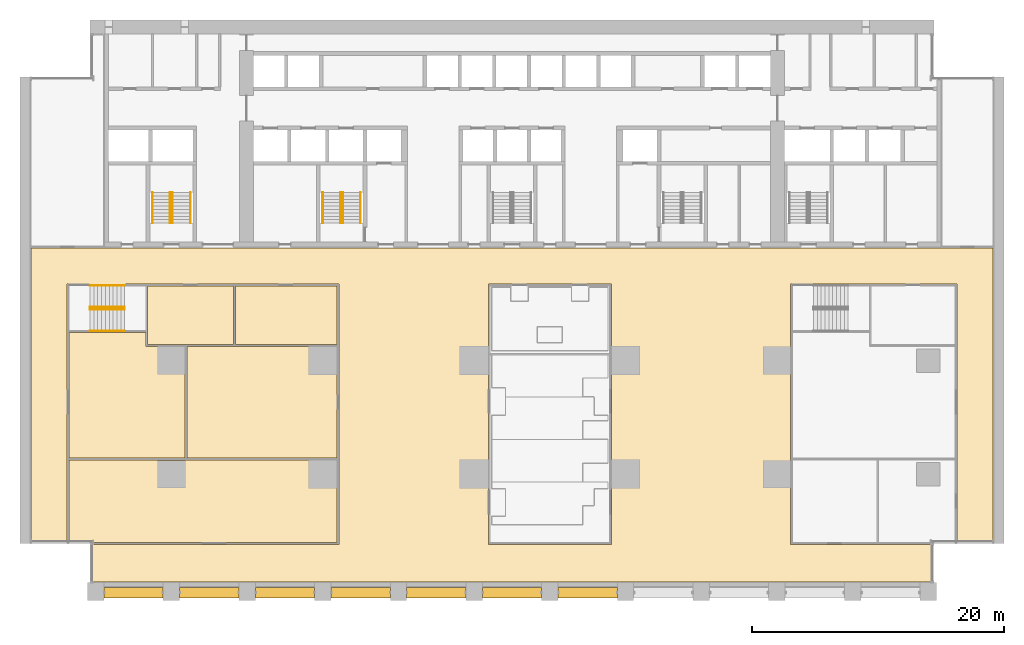
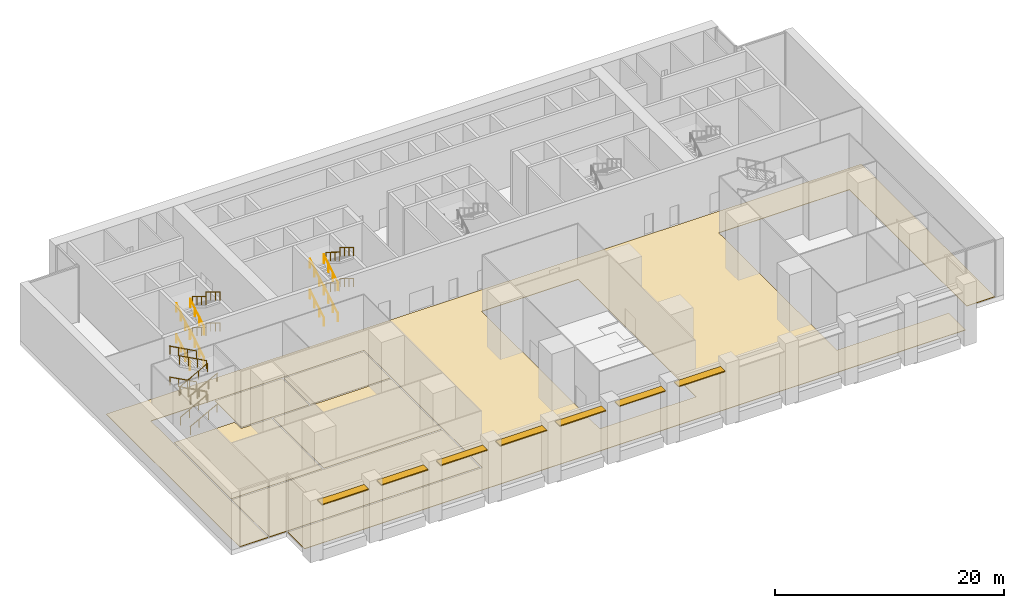
# One storey, part 16 of 18: 24 railings, 7 shading devices, 6 coverings, 3 elements without a shape of their own.
"""IFC4 building model written with IfcOpenShell, lengths in metres."""

from ifc_helpers import new_model, si_unit, direction, frame, origin, origin_2d, place, context, subcontext, project, spatial, polyline, rectangle, circle, outline, extrude, material, layer, layer_set, material_profile, profile_set, type_object, element, aggregate, save


model = new_model("IFC4")

# Units and contexts
model_context = context("Model", 3, precision=1e-05, world=origin(), true_north=direction((0.0, 1.0)))
body_context = subcontext(model_context, "Body", "Model", "MODEL_VIEW")
ifc_project = project(units=[si_unit("LENGTHUNIT", "METRE"), si_unit("AREAUNIT", "SQUARE_METRE"), si_unit("VOLUMEUNIT", "CUBIC_METRE"), si_unit("PLANEANGLEUNIT", "RADIAN"), si_unit("MASSUNIT", "GRAM", prefix="KILO")], contexts=[model_context])

# Site, building, storey
site_placement = place(None, origin())
site = spatial("IfcSite", under=ifc_project, at=site_placement, CompositionType="ELEMENT")
building_placement = place(site_placement, origin())
building = spatial("IfcBuilding", under=site, at=building_placement, Name="Calvaro Tower", CompositionType="ELEMENT")
storey_placement = place(building_placement, frame((0.0, 0.0, 11.300048828125)))
storey = spatial("IfcBuildingStorey", under=building, at=storey_placement, Name="L02", CompositionType="ELEMENT", Elevation=11.300048828125)

# Shading devices
ifc_material_1 = material(Name="Anodised aluminium", Category="aluminium")
ifc_material_profile = material_profile(ifc_material_1, rectangle(XDim=0.800048828125, YDim=0.10009765625, at=origin_2d()), Name="Brise-soleil blade 800 x 100")
ifc_profile_set = profile_set([ifc_material_profile], Name="Anodised aluminium")
shading_device_type = type_object("IfcShadingDeviceType", Name="Brise-soleil blade 800 x 100", PredefinedType="JALOUSIE", material=ifc_profile_set)
for number, where, z_axis, x_axis, name in (
    (1, (6.64990234375, 0.60009765625, 5.14990234375), (1.0, 0.0, 0.0), (0.0, 1.0, 0.0), "Brise-soleil blade 1"),
    (2, (12.64990234375, 0.60009765625, 5.14990234375), (1.0, 0.0, 0.0), (0.0, 1.0, 0.0), "Brise-soleil blade 2"),
    (3, (18.64990234375, 0.60009765625, 5.14990234375), (1.0, 0.0, 0.0), (0.0, 1.0, 0.0), "Brise-soleil blade 3"),
    (4, (24.64990234375, 0.60009765625, 5.14990234375), (1.0, 0.0, 0.0), (0.0, 1.0, 0.0), "Brise-soleil blade 4"),
    (5, (30.64990234375, 0.60009765625, 5.14990234375), (1.0, 0.0, 0.0), (0.0, 1.0, 0.0), "Brise-soleil blade 5"),
    (6, (36.64990234375, 0.60009765625, 5.14990234375), (1.0, 0.0, 0.0), (0.0, 1.0, 0.0), "Brise-soleil blade 6"),
    (7, (42.64990234375, 0.60009765625, 5.14990234375), (1.0, 0.0, 0.0), (0.0, 1.0, 0.0), "Brise-soleil blade 7"),
):
    element("IfcShadingDevice", number, at=place(storey_placement, frame(where, z_axis=z_axis, x_axis=x_axis)), inside=storey, type_object=shading_device_type, Name=name, PredefinedType="JALOUSIE", context=body_context, shape_type="SweptSolid", body=[
        extrude(rectangle(XDim=0.800048828125, YDim=0.10009765625, at=origin_2d()), origin(), (0.0, 0.0, 1.0), 4.7001953125),
    ])

# Coverings
ifc_material_2 = material(Name="Cement screed with carpet tile finish")
ifc_layer = layer(ifc_material_2, 0.050048828125)
ifc_layer_set = layer_set([ifc_layer], Name="Cement screed with carpet tile finish")
covering_type = type_object("IfcCoveringType", Name="Floor finish 50", PredefinedType="FLOORING", material=ifc_layer_set)
covering_1_placement = place(storey_placement, origin())
element("IfcCovering", 8, at=covering_1_placement, inside=storey, type_object=covering_type, Name="Floor finish 05.01", PredefinedType="FLOORING", context=body_context, shape_type="SweptSolid", body=[
    extrude(outline(polyline([(5.6201171875, 4.429931640625), (25.27001953125, 4.429931640625), (25.27001953125, 25.070068359375), (3.72998046875, 25.070068359375), (3.72998046875, 4.570068359375), (0.8701171875, 4.570068359375), (0.8701171875, 27.929931640625), (77.1298828125, 27.929931640625), (77.1298828125, 4.570068359375), (74.27001953125, 4.570068359375), (74.27001953125, 25.070068359375), (61.080078125, 25.070068359375), (61.080078125, 4.429931640625), (72.3798828125, 4.429931640625), (72.3798828125, 1.469970703125), (5.6201171875, 1.469970703125), (5.6201171875, 4.429931640625)]), holes=[polyline([(46.8701171875, 25.070068359375), (37.1298828125, 25.070068359375), (37.1298828125, 4.429931640625), (46.8701171875, 4.429931640625), (46.8701171875, 25.070068359375)])]), origin(), (0.0, 0.0, 1.0), 0.050048828125),
])
covering_2_placement = place(storey_placement, origin())
element("IfcCovering", 9, at=covering_2_placement, inside=storey, type_object=covering_type, Name="Floor finish 05.02", PredefinedType="FLOORING", context=body_context, shape_type="SweptSolid", body=[
    extrude(outline(polyline([(25.1298828125, 11.1298828125), (25.1298828125, 4.570068359375), (3.8701171875, 4.570068359375), (3.8701171875, 11.1298828125), (25.1298828125, 11.1298828125)])), origin(), (0.0, 0.0, 1.0), 0.050048828125),
])
covering_3_placement = place(storey_placement, origin())
element("IfcCovering", 10, at=covering_3_placement, inside=storey, type_object=covering_type, Name="Floor finish 05.08", PredefinedType="FLOORING", context=body_context, shape_type="SweptSolid", body=[
    extrude(outline(polyline([(9.97998046875, 21.22998046875), (9.97998046875, 20.1298828125), (13.080078125, 20.1298828125), (13.080078125, 11.27001953125), (3.8701171875, 11.27001953125), (3.8701171875, 21.22998046875), (9.97998046875, 21.22998046875)])), origin(), (0.0, 0.0, 1.0), 0.050048828125),
])
covering_4_placement = place(storey_placement, origin())
element("IfcCovering", 11, at=covering_4_placement, inside=storey, type_object=covering_type, Name="Floor finish 05.06", PredefinedType="FLOORING", context=body_context, shape_type="SweptSolid", body=[
    extrude(outline(polyline([(13.219970703125, 20.1298828125), (25.1298828125, 20.1298828125), (25.1298828125, 11.27001953125), (13.219970703125, 11.27001953125), (13.219970703125, 20.1298828125)])), origin(), (0.0, 0.0, 1.0), 0.050048828125),
])
covering_5_placement = place(storey_placement, origin())
element("IfcCovering", 12, at=covering_5_placement, inside=storey, type_object=covering_type, Name="Floor finish 05.10", PredefinedType="FLOORING", context=body_context, shape_type="SweptSolid", body=[
    extrude(outline(polyline([(10.1201171875, 24.929931640625), (16.929931640625, 24.929931640625), (16.929931640625, 20.27001953125), (10.1201171875, 20.27001953125), (10.1201171875, 24.929931640625)])), origin(), (0.0, 0.0, 1.0), 0.050048828125),
])
covering_6_placement = place(storey_placement, origin())
element("IfcCovering", 13, at=covering_6_placement, inside=storey, type_object=covering_type, Name="Floor finish 05.11", PredefinedType="FLOORING", context=body_context, shape_type="SweptSolid", body=[
    extrude(outline(polyline([(17.070068359375, 24.929931640625), (25.1298828125, 24.929931640625), (25.1298828125, 20.27001953125), (17.070068359375, 20.27001953125), (17.070068359375, 24.929931640625)])), origin(), (0.0, 0.0, 1.0), 0.050048828125),
])

# Stair, railings
ifc_material_3 = material(Name="Concrete C40/50", Category="concrete")
stair_type_1 = type_object("IfcStairType", Name="Exit stair 1400 4 flights", PredefinedType="DOUBLE_RETURN_STAIR", material=ifc_material_3)
stair_1_placement = place(storey_placement, origin())
stair_1 = element("IfcStair", 14, at=stair_1_placement, inside=storey, type_object=stair_type_1, Name="Exit stair S1", PredefinedType="DOUBLE_RETURN_STAIR")
ifc_material_4 = material(Name="Stainless steel", Category="steel")
railing_type = type_object("IfcRailingType", Name="Stair handrail", PredefinedType="HANDRAIL", material=ifc_material_4)
railing_1_placement = place(storey_placement, frame((11.89990234375, 29.89990234375, 0.1650390625)))
railing_1 = element("IfcRailing", 15, at=railing_1_placement, type_object=railing_type, Name="Exit stair 1 handrail", PredefinedType="HANDRAIL", context=body_context, shape_type="SweptSolid", body=[
    extrude(circle(Radius=0.02392578125, at=origin_2d()), frame((0.0, 0.0, 0.8759765625), z_axis=(0.0, 0.853319974774, 0.521387591579), x_axis=(-1.0, 0.0, 0.0)), (0.0, 0.0, 1.0), 2.847900390625),
    extrude(circle(Radius=0.02099609375, at=origin_2d()), frame((0.0, 0.017822265625, 0.010986328125)), (0.0, 0.0, 1.0), 0.851806640625),
    extrude(circle(Radius=0.02099609375, at=origin_2d()), frame((0.0, 0.81005859375, 0.494873046875)), (0.0, 0.0, 1.0), 0.851806640625),
    extrude(circle(Radius=0.02099609375, at=origin_2d()), frame((0.0, 1.6201171875, 0.989990234375)), (0.0, 0.0, 1.0), 0.851806640625),
    extrude(circle(Radius=0.02099609375, at=origin_2d()), frame((0.0, 2.412353515625, 1.473876953125)), (0.0, 0.0, 1.0), 0.851806640625),
])
railing_2_placement = place(storey_placement, frame((10.5, 29.89990234375, 0.1650390625)))
railing_2 = element("IfcRailing", 16, at=railing_2_placement, type_object=railing_type, Name="Exit stair 1 handrail", PredefinedType="HANDRAIL", context=body_context, shape_type="SweptSolid", body=[
    extrude(circle(Radius=0.02392578125, at=origin_2d()), frame((0.0, 0.0, 0.8759765625), z_axis=(0.0, 0.853319974774, 0.521387591579), x_axis=(-1.0, 0.0, 0.0)), (0.0, 0.0, 1.0), 2.847900390625),
    extrude(circle(Radius=0.02099609375, at=origin_2d()), frame((0.0, 0.017822265625, 0.010986328125)), (0.0, 0.0, 1.0), 0.851806640625),
    extrude(circle(Radius=0.02099609375, at=origin_2d()), frame((0.0, 0.81005859375, 0.494873046875)), (0.0, 0.0, 1.0), 0.851806640625),
    extrude(circle(Radius=0.02099609375, at=origin_2d()), frame((0.0, 1.6201171875, 0.989990234375)), (0.0, 0.0, 1.0), 0.851806640625),
    extrude(circle(Radius=0.02099609375, at=origin_2d()), frame((0.0, 2.412353515625, 1.473876953125)), (0.0, 0.0, 1.0), 0.851806640625),
])
railing_3_placement = place(storey_placement, frame((12.10009765625, 32.330078125, 1.81494140625)))
railing_3 = element("IfcRailing", 17, at=railing_3_placement, type_object=railing_type, Name="Exit stair 1 handrail", PredefinedType="HANDRAIL", context=body_context, shape_type="SweptSolid", body=[
    extrude(circle(Radius=0.02392578125, at=origin_2d()), frame((0.0, 0.0, 0.8759765625), z_axis=(0.0, -0.853281833652, 0.521450009454), x_axis=(1.0, 0.0, 0.0)), (0.0, 0.0, 1.0), 2.84814453125),
    extrude(circle(Radius=0.02099609375, at=origin_2d()), frame((0.0, -0.017822265625, 0.010986328125)), (0.0, 0.0, 1.0), 0.851806640625),
    extrude(circle(Radius=0.02099609375, at=origin_2d()), frame((0.0, -0.81005859375, 0.4951171875)), (0.0, 0.0, 1.0), 0.851806640625),
    extrude(circle(Radius=0.02099609375, at=origin_2d()), frame((0.0, -1.6201171875, 0.989990234375)), (0.0, 0.0, 1.0), 0.851806640625),
    extrude(circle(Radius=0.02099609375, at=origin_2d()), frame((0.0, -2.412353515625, 1.47412109375)), (0.0, 0.0, 1.0), 0.851806640625),
])
railing_4_placement = place(storey_placement, frame((13.5, 32.330078125, 1.81494140625)))
railing_4 = element("IfcRailing", 18, at=railing_4_placement, type_object=railing_type, Name="Exit stair 1 handrail", PredefinedType="HANDRAIL", context=body_context, shape_type="SweptSolid", body=[
    extrude(circle(Radius=0.02392578125, at=origin_2d()), frame((0.0, 0.0, 0.8759765625), z_axis=(0.0, -0.853281833652, 0.521450009454), x_axis=(1.0, 0.0, 0.0)), (0.0, 0.0, 1.0), 2.84814453125),
    extrude(circle(Radius=0.02099609375, at=origin_2d()), frame((0.0, -0.017822265625, 0.010986328125)), (0.0, 0.0, 1.0), 0.851806640625),
    extrude(circle(Radius=0.02099609375, at=origin_2d()), frame((0.0, -0.81005859375, 0.4951171875)), (0.0, 0.0, 1.0), 0.851806640625),
    extrude(circle(Radius=0.02099609375, at=origin_2d()), frame((0.0, -1.6201171875, 0.989990234375)), (0.0, 0.0, 1.0), 0.851806640625),
    extrude(circle(Radius=0.02099609375, at=origin_2d()), frame((0.0, -2.412353515625, 1.47412109375)), (0.0, 0.0, 1.0), 0.851806640625),
])
railing_5_placement = place(storey_placement, frame((11.89990234375, 29.89990234375, 3.46484375)))
railing_5 = element("IfcRailing", 19, at=railing_5_placement, type_object=railing_type, Name="Exit stair 1 handrail", PredefinedType="HANDRAIL", context=body_context, shape_type="SweptSolid", body=[
    extrude(circle(Radius=0.02392578125, at=origin_2d()), frame((0.0, 0.0, 0.8759765625), z_axis=(0.0, 0.853281833652, 0.521450009454), x_axis=(-1.0, 0.0, 0.0)), (0.0, 0.0, 1.0), 2.84814453125),
    extrude(circle(Radius=0.02099609375, at=origin_2d()), frame((0.0, 0.017822265625, 0.010986328125)), (0.0, 0.0, 1.0), 0.851806640625),
    extrude(circle(Radius=0.02099609375, at=origin_2d()), frame((0.0, 0.81005859375, 0.4951171875)), (0.0, 0.0, 1.0), 0.851806640625),
    extrude(circle(Radius=0.02099609375, at=origin_2d()), frame((0.0, 1.6201171875, 0.989990234375)), (0.0, 0.0, 1.0), 0.851806640625),
    extrude(circle(Radius=0.02099609375, at=origin_2d()), frame((0.0, 2.412353515625, 1.47412109375)), (0.0, 0.0, 1.0), 0.851806640625),
])
railing_6_placement = place(storey_placement, frame((10.5, 29.89990234375, 3.46484375)))
railing_6 = element("IfcRailing", 20, at=railing_6_placement, type_object=railing_type, Name="Exit stair 1 handrail", PredefinedType="HANDRAIL", context=body_context, shape_type="SweptSolid", body=[
    extrude(circle(Radius=0.02392578125, at=origin_2d()), frame((0.0, 0.0, 0.8759765625), z_axis=(0.0, 0.853281833652, 0.521450009454), x_axis=(-1.0, 0.0, 0.0)), (0.0, 0.0, 1.0), 2.84814453125),
    extrude(circle(Radius=0.02099609375, at=origin_2d()), frame((0.0, 0.017822265625, 0.010986328125)), (0.0, 0.0, 1.0), 0.851806640625),
    extrude(circle(Radius=0.02099609375, at=origin_2d()), frame((0.0, 0.81005859375, 0.4951171875)), (0.0, 0.0, 1.0), 0.851806640625),
    extrude(circle(Radius=0.02099609375, at=origin_2d()), frame((0.0, 1.6201171875, 0.989990234375)), (0.0, 0.0, 1.0), 0.851806640625),
    extrude(circle(Radius=0.02099609375, at=origin_2d()), frame((0.0, 2.412353515625, 1.47412109375)), (0.0, 0.0, 1.0), 0.851806640625),
])
railing_7_placement = place(storey_placement, frame((12.10009765625, 32.330078125, 5.114990234375)))
railing_7 = element("IfcRailing", 21, at=railing_7_placement, type_object=railing_type, Name="Exit stair 1 handrail", PredefinedType="HANDRAIL", context=body_context, shape_type="SweptSolid", body=[
    extrude(circle(Radius=0.02392578125, at=origin_2d()), frame((0.0, 0.0, 0.8759765625), z_axis=(0.0, -0.853319974774, 0.521387591579), x_axis=(1.0, 0.0, 0.0)), (0.0, 0.0, 1.0), 2.847900390625),
    extrude(circle(Radius=0.02099609375, at=origin_2d()), frame((0.0, -0.017822265625, 0.010986328125)), (0.0, 0.0, 1.0), 0.851806640625),
    extrude(circle(Radius=0.02099609375, at=origin_2d()), frame((0.0, -0.81005859375, 0.494873046875)), (0.0, 0.0, 1.0), 0.851806640625),
    extrude(circle(Radius=0.02099609375, at=origin_2d()), frame((0.0, -1.6201171875, 0.989990234375)), (0.0, 0.0, 1.0), 0.851806640625),
    extrude(circle(Radius=0.02099609375, at=origin_2d()), frame((0.0, -2.412353515625, 1.473876953125)), (0.0, 0.0, 1.0), 0.851806640625),
])
railing_8_placement = place(storey_placement, frame((13.5, 32.330078125, 5.114990234375)))
railing_8 = element("IfcRailing", 22, at=railing_8_placement, type_object=railing_type, Name="Exit stair 1 handrail", PredefinedType="HANDRAIL", context=body_context, shape_type="SweptSolid", body=[
    extrude(circle(Radius=0.02392578125, at=origin_2d()), frame((0.0, 0.0, 0.8759765625), z_axis=(0.0, -0.853319974774, 0.521387591579), x_axis=(1.0, 0.0, 0.0)), (0.0, 0.0, 1.0), 2.847900390625),
    extrude(circle(Radius=0.02099609375, at=origin_2d()), frame((0.0, -0.017822265625, 0.010986328125)), (0.0, 0.0, 1.0), 0.851806640625),
    extrude(circle(Radius=0.02099609375, at=origin_2d()), frame((0.0, -0.81005859375, 0.494873046875)), (0.0, 0.0, 1.0), 0.851806640625),
    extrude(circle(Radius=0.02099609375, at=origin_2d()), frame((0.0, -1.6201171875, 0.989990234375)), (0.0, 0.0, 1.0), 0.851806640625),
    extrude(circle(Radius=0.02099609375, at=origin_2d()), frame((0.0, -2.412353515625, 1.473876953125)), (0.0, 0.0, 1.0), 0.851806640625),
])
aggregate(stair_1, [railing_1, railing_2, railing_3, railing_4, railing_5, railing_6, railing_7, railing_8])

stair_2_placement = place(storey_placement, origin())
stair_2 = element("IfcStair", 23, at=stair_2_placement, inside=storey, type_object=stair_type_1, Name="Exit stair S2", PredefinedType="DOUBLE_RETURN_STAIR")
railing_9_placement = place(storey_placement, frame((25.39990234375, 29.89990234375, 0.1650390625)))
railing_9 = element("IfcRailing", 24, at=railing_9_placement, type_object=railing_type, Name="Exit stair 2 handrail", PredefinedType="HANDRAIL", context=body_context, shape_type="SweptSolid", body=[
    extrude(circle(Radius=0.02392578125, at=origin_2d()), frame((0.0, 0.0, 0.8759765625), z_axis=(0.0, 0.853319974774, 0.521387591579), x_axis=(-1.0, 0.0, 0.0)), (0.0, 0.0, 1.0), 2.847900390625),
    extrude(circle(Radius=0.02099609375, at=origin_2d()), frame((0.0, 0.017822265625, 0.010986328125)), (0.0, 0.0, 1.0), 0.851806640625),
    extrude(circle(Radius=0.02099609375, at=origin_2d()), frame((0.0, 0.81005859375, 0.494873046875)), (0.0, 0.0, 1.0), 0.851806640625),
    extrude(circle(Radius=0.02099609375, at=origin_2d()), frame((0.0, 1.6201171875, 0.989990234375)), (0.0, 0.0, 1.0), 0.851806640625),
    extrude(circle(Radius=0.02099609375, at=origin_2d()), frame((0.0, 2.412353515625, 1.473876953125)), (0.0, 0.0, 1.0), 0.851806640625),
])
railing_10_placement = place(storey_placement, frame((24.0, 29.89990234375, 0.1650390625)))
railing_10 = element("IfcRailing", 25, at=railing_10_placement, type_object=railing_type, Name="Exit stair 2 handrail", PredefinedType="HANDRAIL", context=body_context, shape_type="SweptSolid", body=[
    extrude(circle(Radius=0.02392578125, at=origin_2d()), frame((0.0, 0.0, 0.8759765625), z_axis=(0.0, 0.853319974774, 0.521387591579), x_axis=(-1.0, 0.0, 0.0)), (0.0, 0.0, 1.0), 2.847900390625),
    extrude(circle(Radius=0.02099609375, at=origin_2d()), frame((0.0, 0.017822265625, 0.010986328125)), (0.0, 0.0, 1.0), 0.851806640625),
    extrude(circle(Radius=0.02099609375, at=origin_2d()), frame((0.0, 0.81005859375, 0.494873046875)), (0.0, 0.0, 1.0), 0.851806640625),
    extrude(circle(Radius=0.02099609375, at=origin_2d()), frame((0.0, 1.6201171875, 0.989990234375)), (0.0, 0.0, 1.0), 0.851806640625),
    extrude(circle(Radius=0.02099609375, at=origin_2d()), frame((0.0, 2.412353515625, 1.473876953125)), (0.0, 0.0, 1.0), 0.851806640625),
])
railing_11_placement = place(storey_placement, frame((25.60009765625, 32.330078125, 1.81494140625)))
railing_11 = element("IfcRailing", 26, at=railing_11_placement, type_object=railing_type, Name="Exit stair 2 handrail", PredefinedType="HANDRAIL", context=body_context, shape_type="SweptSolid", body=[
    extrude(circle(Radius=0.02392578125, at=origin_2d()), frame((0.0, 0.0, 0.8759765625), z_axis=(0.0, -0.853281833652, 0.521450009454), x_axis=(1.0, 0.0, 0.0)), (0.0, 0.0, 1.0), 2.84814453125),
    extrude(circle(Radius=0.02099609375, at=origin_2d()), frame((0.0, -0.017822265625, 0.010986328125)), (0.0, 0.0, 1.0), 0.851806640625),
    extrude(circle(Radius=0.02099609375, at=origin_2d()), frame((0.0, -0.81005859375, 0.4951171875)), (0.0, 0.0, 1.0), 0.851806640625),
    extrude(circle(Radius=0.02099609375, at=origin_2d()), frame((0.0, -1.6201171875, 0.989990234375)), (0.0, 0.0, 1.0), 0.851806640625),
    extrude(circle(Radius=0.02099609375, at=origin_2d()), frame((0.0, -2.412353515625, 1.47412109375)), (0.0, 0.0, 1.0), 0.851806640625),
])
railing_12_placement = place(storey_placement, frame((27.0, 32.330078125, 1.81494140625)))
railing_12 = element("IfcRailing", 27, at=railing_12_placement, type_object=railing_type, Name="Exit stair 2 handrail", PredefinedType="HANDRAIL", context=body_context, shape_type="SweptSolid", body=[
    extrude(circle(Radius=0.02392578125, at=origin_2d()), frame((0.0, 0.0, 0.8759765625), z_axis=(0.0, -0.853281833652, 0.521450009454), x_axis=(1.0, 0.0, 0.0)), (0.0, 0.0, 1.0), 2.84814453125),
    extrude(circle(Radius=0.02099609375, at=origin_2d()), frame((0.0, -0.017822265625, 0.010986328125)), (0.0, 0.0, 1.0), 0.851806640625),
    extrude(circle(Radius=0.02099609375, at=origin_2d()), frame((0.0, -0.81005859375, 0.4951171875)), (0.0, 0.0, 1.0), 0.851806640625),
    extrude(circle(Radius=0.02099609375, at=origin_2d()), frame((0.0, -1.6201171875, 0.989990234375)), (0.0, 0.0, 1.0), 0.851806640625),
    extrude(circle(Radius=0.02099609375, at=origin_2d()), frame((0.0, -2.412353515625, 1.47412109375)), (0.0, 0.0, 1.0), 0.851806640625),
])
railing_13_placement = place(storey_placement, frame((25.39990234375, 29.89990234375, 3.46484375)))
railing_13 = element("IfcRailing", 28, at=railing_13_placement, type_object=railing_type, Name="Exit stair 2 handrail", PredefinedType="HANDRAIL", context=body_context, shape_type="SweptSolid", body=[
    extrude(circle(Radius=0.02392578125, at=origin_2d()), frame((0.0, 0.0, 0.8759765625), z_axis=(0.0, 0.853281833652, 0.521450009454), x_axis=(-1.0, 0.0, 0.0)), (0.0, 0.0, 1.0), 2.84814453125),
    extrude(circle(Radius=0.02099609375, at=origin_2d()), frame((0.0, 0.017822265625, 0.010986328125)), (0.0, 0.0, 1.0), 0.851806640625),
    extrude(circle(Radius=0.02099609375, at=origin_2d()), frame((0.0, 0.81005859375, 0.4951171875)), (0.0, 0.0, 1.0), 0.851806640625),
    extrude(circle(Radius=0.02099609375, at=origin_2d()), frame((0.0, 1.6201171875, 0.989990234375)), (0.0, 0.0, 1.0), 0.851806640625),
    extrude(circle(Radius=0.02099609375, at=origin_2d()), frame((0.0, 2.412353515625, 1.47412109375)), (0.0, 0.0, 1.0), 0.851806640625),
])
railing_14_placement = place(storey_placement, frame((24.0, 29.89990234375, 3.46484375)))
railing_14 = element("IfcRailing", 29, at=railing_14_placement, type_object=railing_type, Name="Exit stair 2 handrail", PredefinedType="HANDRAIL", context=body_context, shape_type="SweptSolid", body=[
    extrude(circle(Radius=0.02392578125, at=origin_2d()), frame((0.0, 0.0, 0.8759765625), z_axis=(0.0, 0.853281833652, 0.521450009454), x_axis=(-1.0, 0.0, 0.0)), (0.0, 0.0, 1.0), 2.84814453125),
    extrude(circle(Radius=0.02099609375, at=origin_2d()), frame((0.0, 0.017822265625, 0.010986328125)), (0.0, 0.0, 1.0), 0.851806640625),
    extrude(circle(Radius=0.02099609375, at=origin_2d()), frame((0.0, 0.81005859375, 0.4951171875)), (0.0, 0.0, 1.0), 0.851806640625),
    extrude(circle(Radius=0.02099609375, at=origin_2d()), frame((0.0, 1.6201171875, 0.989990234375)), (0.0, 0.0, 1.0), 0.851806640625),
    extrude(circle(Radius=0.02099609375, at=origin_2d()), frame((0.0, 2.412353515625, 1.47412109375)), (0.0, 0.0, 1.0), 0.851806640625),
])
railing_15_placement = place(storey_placement, frame((25.60009765625, 32.330078125, 5.114990234375)))
railing_15 = element("IfcRailing", 30, at=railing_15_placement, type_object=railing_type, Name="Exit stair 2 handrail", PredefinedType="HANDRAIL", context=body_context, shape_type="SweptSolid", body=[
    extrude(circle(Radius=0.02392578125, at=origin_2d()), frame((0.0, 0.0, 0.8759765625), z_axis=(0.0, -0.853319974774, 0.521387591579), x_axis=(1.0, 0.0, 0.0)), (0.0, 0.0, 1.0), 2.847900390625),
    extrude(circle(Radius=0.02099609375, at=origin_2d()), frame((0.0, -0.017822265625, 0.010986328125)), (0.0, 0.0, 1.0), 0.851806640625),
    extrude(circle(Radius=0.02099609375, at=origin_2d()), frame((0.0, -0.81005859375, 0.494873046875)), (0.0, 0.0, 1.0), 0.851806640625),
    extrude(circle(Radius=0.02099609375, at=origin_2d()), frame((0.0, -1.6201171875, 0.989990234375)), (0.0, 0.0, 1.0), 0.851806640625),
    extrude(circle(Radius=0.02099609375, at=origin_2d()), frame((0.0, -2.412353515625, 1.473876953125)), (0.0, 0.0, 1.0), 0.851806640625),
])
railing_16_placement = place(storey_placement, frame((27.0, 32.330078125, 5.114990234375)))
railing_16 = element("IfcRailing", 31, at=railing_16_placement, type_object=railing_type, Name="Exit stair 2 handrail", PredefinedType="HANDRAIL", context=body_context, shape_type="SweptSolid", body=[
    extrude(circle(Radius=0.02392578125, at=origin_2d()), frame((0.0, 0.0, 0.8759765625), z_axis=(0.0, -0.853319974774, 0.521387591579), x_axis=(1.0, 0.0, 0.0)), (0.0, 0.0, 1.0), 2.847900390625),
    extrude(circle(Radius=0.02099609375, at=origin_2d()), frame((0.0, -0.017822265625, 0.010986328125)), (0.0, 0.0, 1.0), 0.851806640625),
    extrude(circle(Radius=0.02099609375, at=origin_2d()), frame((0.0, -0.81005859375, 0.494873046875)), (0.0, 0.0, 1.0), 0.851806640625),
    extrude(circle(Radius=0.02099609375, at=origin_2d()), frame((0.0, -1.6201171875, 0.989990234375)), (0.0, 0.0, 1.0), 0.851806640625),
    extrude(circle(Radius=0.02099609375, at=origin_2d()), frame((0.0, -2.412353515625, 1.473876953125)), (0.0, 0.0, 1.0), 0.851806640625),
])
aggregate(stair_2, [railing_9, railing_10, railing_11, railing_12, railing_13, railing_14, railing_15, railing_16])

ifc_material_5 = material(Name="Concrete C40/50", Category="concrete")
stair_type_2 = type_object("IfcStairType", Name="Exit stair 1700 4 flights", PredefinedType="DOUBLE_RETURN_STAIR", material=ifc_material_5)
stair_3_placement = place(storey_placement, origin())
stair_3 = element("IfcStair", 32, at=stair_3_placement, inside=storey, type_object=stair_type_2, Name="Exit stair 6", PredefinedType="DOUBLE_RETURN_STAIR")
railing_17_placement = place(storey_placement, frame((5.550048828125, 23.050048828125, 0.1650390625)))
railing_17 = element("IfcRailing", 33, at=railing_17_placement, type_object=railing_type, Name="Exit stair 6 handrail", PredefinedType="HANDRAIL", context=body_context, shape_type="SweptSolid", body=[
    extrude(circle(Radius=0.02392578125, at=origin_2d()), frame((0.0, 0.0, 0.8759765625), z_axis=(0.879552570203, 0.0, 0.475801719468), x_axis=(0.0, 1.0, 0.0)), (0.0, 0.0, 1.0), 3.120849609375),
    extrude(circle(Radius=0.02099609375, at=origin_2d()), frame((0.0185546875, 0.0, 0.010009765625)), (0.0, 0.0, 1.0), 0.851806640625),
    extrude(circle(Radius=0.02099609375, at=origin_2d()), frame((0.9150390625, 0.0, 0.494873046875)), (0.0, 0.0, 1.0), 0.851806640625),
    extrude(circle(Radius=0.02099609375, at=origin_2d()), frame((1.829833984375, 0.0, 0.989990234375)), (0.0, 0.0, 1.0), 0.851806640625),
    extrude(circle(Radius=0.02099609375, at=origin_2d()), frame((2.726318359375, 0.0, 1.474853515625)), (0.0, 0.0, 1.0), 0.851806640625),
])
railing_18_placement = place(storey_placement, frame((5.550048828125, 21.35009765625, 0.1650390625)))
railing_18 = element("IfcRailing", 34, at=railing_18_placement, type_object=railing_type, Name="Exit stair 6 handrail", PredefinedType="HANDRAIL", context=body_context, shape_type="SweptSolid", body=[
    extrude(circle(Radius=0.02392578125, at=origin_2d()), frame((0.0, 0.0, 0.8759765625), z_axis=(0.879552570203, 0.0, 0.475801719468), x_axis=(0.0, 1.0, 0.0)), (0.0, 0.0, 1.0), 3.120849609375),
    extrude(circle(Radius=0.02099609375, at=origin_2d()), frame((0.0185546875, 0.0, 0.010009765625)), (0.0, 0.0, 1.0), 0.851806640625),
    extrude(circle(Radius=0.02099609375, at=origin_2d()), frame((0.9150390625, 0.0, 0.494873046875)), (0.0, 0.0, 1.0), 0.851806640625),
    extrude(circle(Radius=0.02099609375, at=origin_2d()), frame((1.829833984375, 0.0, 0.989990234375)), (0.0, 0.0, 1.0), 0.851806640625),
    extrude(circle(Radius=0.02099609375, at=origin_2d()), frame((2.726318359375, 0.0, 1.474853515625)), (0.0, 0.0, 1.0), 0.851806640625),
])
railing_19_placement = place(storey_placement, frame((8.294921875, 23.25, 1.81494140625)))
railing_19 = element("IfcRailing", 35, at=railing_19_placement, type_object=railing_type, Name="Exit stair 6 handrail", PredefinedType="HANDRAIL", context=body_context, shape_type="SweptSolid", body=[
    extrude(circle(Radius=0.02392578125, at=origin_2d()), frame((0.0, 0.0, 0.8759765625), z_axis=(-0.87951983019, 0.0, 0.475862236685), x_axis=(0.0, -1.0, 0.0)), (0.0, 0.0, 1.0), 3.120849609375),
    extrude(circle(Radius=0.02099609375, at=origin_2d()), frame((-0.0185546875, 0.0, 0.010009765625)), (0.0, 0.0, 1.0), 0.851806640625),
    extrude(circle(Radius=0.02099609375, at=origin_2d()), frame((-0.9150390625, 0.0, 0.4951171875)), (0.0, 0.0, 1.0), 0.851806640625),
    extrude(circle(Radius=0.02099609375, at=origin_2d()), frame((-1.829833984375, 0.0, 0.989990234375)), (0.0, 0.0, 1.0), 0.851806640625),
    extrude(circle(Radius=0.02099609375, at=origin_2d()), frame((-2.726318359375, 0.0, 1.47509765625)), (0.0, 0.0, 1.0), 0.851806640625),
])
railing_20_placement = place(storey_placement, frame((8.294921875, 24.949951171875, 1.81494140625)))
railing_20 = element("IfcRailing", 36, at=railing_20_placement, type_object=railing_type, Name="Exit stair 6 handrail", PredefinedType="HANDRAIL", context=body_context, shape_type="SweptSolid", body=[
    extrude(circle(Radius=0.02392578125, at=origin_2d()), frame((0.0, 0.0, 0.8759765625), z_axis=(-0.87951983019, 0.0, 0.475862236685), x_axis=(0.0, -1.0, 0.0)), (0.0, 0.0, 1.0), 3.120849609375),
    extrude(circle(Radius=0.02099609375, at=origin_2d()), frame((-0.0185546875, 0.0, 0.010009765625)), (0.0, 0.0, 1.0), 0.851806640625),
    extrude(circle(Radius=0.02099609375, at=origin_2d()), frame((-0.9150390625, 0.0, 0.4951171875)), (0.0, 0.0, 1.0), 0.851806640625),
    extrude(circle(Radius=0.02099609375, at=origin_2d()), frame((-1.829833984375, 0.0, 0.989990234375)), (0.0, 0.0, 1.0), 0.851806640625),
    extrude(circle(Radius=0.02099609375, at=origin_2d()), frame((-2.726318359375, 0.0, 1.47509765625)), (0.0, 0.0, 1.0), 0.851806640625),
])
railing_21_placement = place(storey_placement, frame((5.550048828125, 23.050048828125, 3.46484375)))
railing_21 = element("IfcRailing", 37, at=railing_21_placement, type_object=railing_type, Name="Exit stair 6 handrail", PredefinedType="HANDRAIL", context=body_context, shape_type="SweptSolid", body=[
    extrude(circle(Radius=0.02392578125, at=origin_2d()), frame((0.0, 0.0, 0.8759765625), z_axis=(0.87951983019, 0.0, 0.475862236685), x_axis=(0.0, 1.0, 0.0)), (0.0, 0.0, 1.0), 3.120849609375),
    extrude(circle(Radius=0.02099609375, at=origin_2d()), frame((0.0185546875, 0.0, 0.010009765625)), (0.0, 0.0, 1.0), 0.851806640625),
    extrude(circle(Radius=0.02099609375, at=origin_2d()), frame((0.9150390625, 0.0, 0.4951171875)), (0.0, 0.0, 1.0), 0.851806640625),
    extrude(circle(Radius=0.02099609375, at=origin_2d()), frame((1.829833984375, 0.0, 0.989990234375)), (0.0, 0.0, 1.0), 0.851806640625),
    extrude(circle(Radius=0.02099609375, at=origin_2d()), frame((2.726318359375, 0.0, 1.47509765625)), (0.0, 0.0, 1.0), 0.851806640625),
])
railing_22_placement = place(storey_placement, frame((5.550048828125, 21.35009765625, 3.46484375)))
railing_22 = element("IfcRailing", 38, at=railing_22_placement, type_object=railing_type, Name="Exit stair 6 handrail", PredefinedType="HANDRAIL", context=body_context, shape_type="SweptSolid", body=[
    extrude(circle(Radius=0.02392578125, at=origin_2d()), frame((0.0, 0.0, 0.8759765625), z_axis=(0.87951983019, 0.0, 0.475862236685), x_axis=(0.0, 1.0, 0.0)), (0.0, 0.0, 1.0), 3.120849609375),
    extrude(circle(Radius=0.02099609375, at=origin_2d()), frame((0.0185546875, 0.0, 0.010009765625)), (0.0, 0.0, 1.0), 0.851806640625),
    extrude(circle(Radius=0.02099609375, at=origin_2d()), frame((0.9150390625, 0.0, 0.4951171875)), (0.0, 0.0, 1.0), 0.851806640625),
    extrude(circle(Radius=0.02099609375, at=origin_2d()), frame((1.829833984375, 0.0, 0.989990234375)), (0.0, 0.0, 1.0), 0.851806640625),
    extrude(circle(Radius=0.02099609375, at=origin_2d()), frame((2.726318359375, 0.0, 1.47509765625)), (0.0, 0.0, 1.0), 0.851806640625),
])
railing_23_placement = place(storey_placement, frame((8.294921875, 23.25, 5.114990234375)))
railing_23 = element("IfcRailing", 39, at=railing_23_placement, type_object=railing_type, Name="Exit stair 6 handrail", PredefinedType="HANDRAIL", context=body_context, shape_type="SweptSolid", body=[
    extrude(circle(Radius=0.02392578125, at=origin_2d()), frame((0.0, 0.0, 0.8759765625), z_axis=(-0.879552570203, 0.0, 0.475801719468), x_axis=(0.0, -1.0, 0.0)), (0.0, 0.0, 1.0), 3.120849609375),
    extrude(circle(Radius=0.02099609375, at=origin_2d()), frame((-0.0185546875, 0.0, 0.010009765625)), (0.0, 0.0, 1.0), 0.851806640625),
    extrude(circle(Radius=0.02099609375, at=origin_2d()), frame((-0.9150390625, 0.0, 0.494873046875)), (0.0, 0.0, 1.0), 0.851806640625),
    extrude(circle(Radius=0.02099609375, at=origin_2d()), frame((-1.829833984375, 0.0, 0.989990234375)), (0.0, 0.0, 1.0), 0.851806640625),
    extrude(circle(Radius=0.02099609375, at=origin_2d()), frame((-2.726318359375, 0.0, 1.474853515625)), (0.0, 0.0, 1.0), 0.851806640625),
])
railing_24_placement = place(storey_placement, frame((8.294921875, 24.949951171875, 5.114990234375)))
railing_24 = element("IfcRailing", 40, at=railing_24_placement, type_object=railing_type, Name="Exit stair 6 handrail", PredefinedType="HANDRAIL", context=body_context, shape_type="SweptSolid", body=[
    extrude(circle(Radius=0.02392578125, at=origin_2d()), frame((0.0, 0.0, 0.8759765625), z_axis=(-0.879552570203, 0.0, 0.475801719468), x_axis=(0.0, -1.0, 0.0)), (0.0, 0.0, 1.0), 3.120849609375),
    extrude(circle(Radius=0.02099609375, at=origin_2d()), frame((-0.0185546875, 0.0, 0.010009765625)), (0.0, 0.0, 1.0), 0.851806640625),
    extrude(circle(Radius=0.02099609375, at=origin_2d()), frame((-0.9150390625, 0.0, 0.494873046875)), (0.0, 0.0, 1.0), 0.851806640625),
    extrude(circle(Radius=0.02099609375, at=origin_2d()), frame((-1.829833984375, 0.0, 0.989990234375)), (0.0, 0.0, 1.0), 0.851806640625),
    extrude(circle(Radius=0.02099609375, at=origin_2d()), frame((-2.726318359375, 0.0, 1.474853515625)), (0.0, 0.0, 1.0), 0.851806640625),
])
aggregate(stair_3, [railing_17, railing_18, railing_19, railing_20, railing_21, railing_22, railing_23, railing_24])

save(model, "model.ifc")
